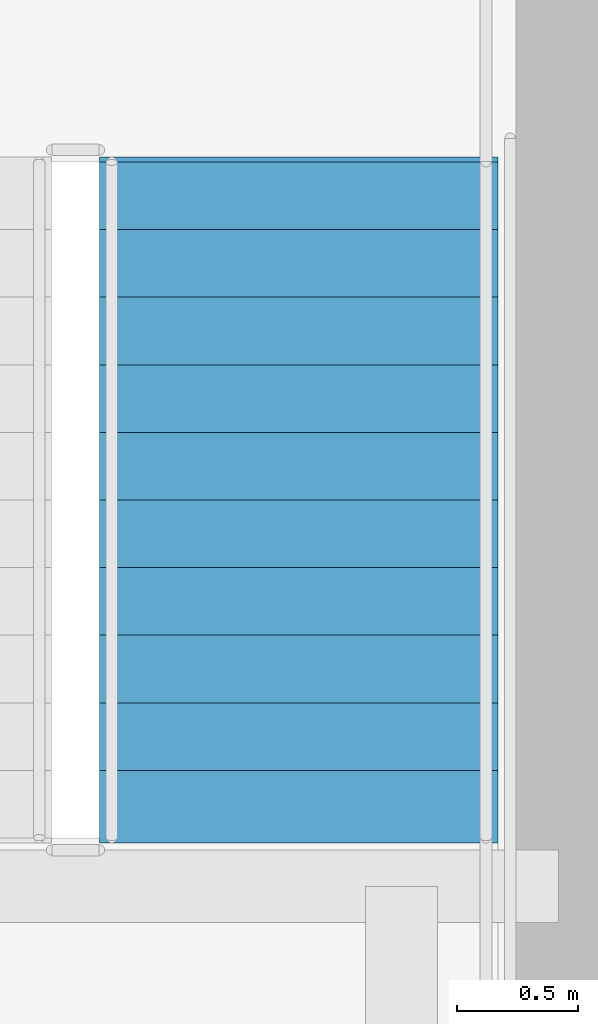
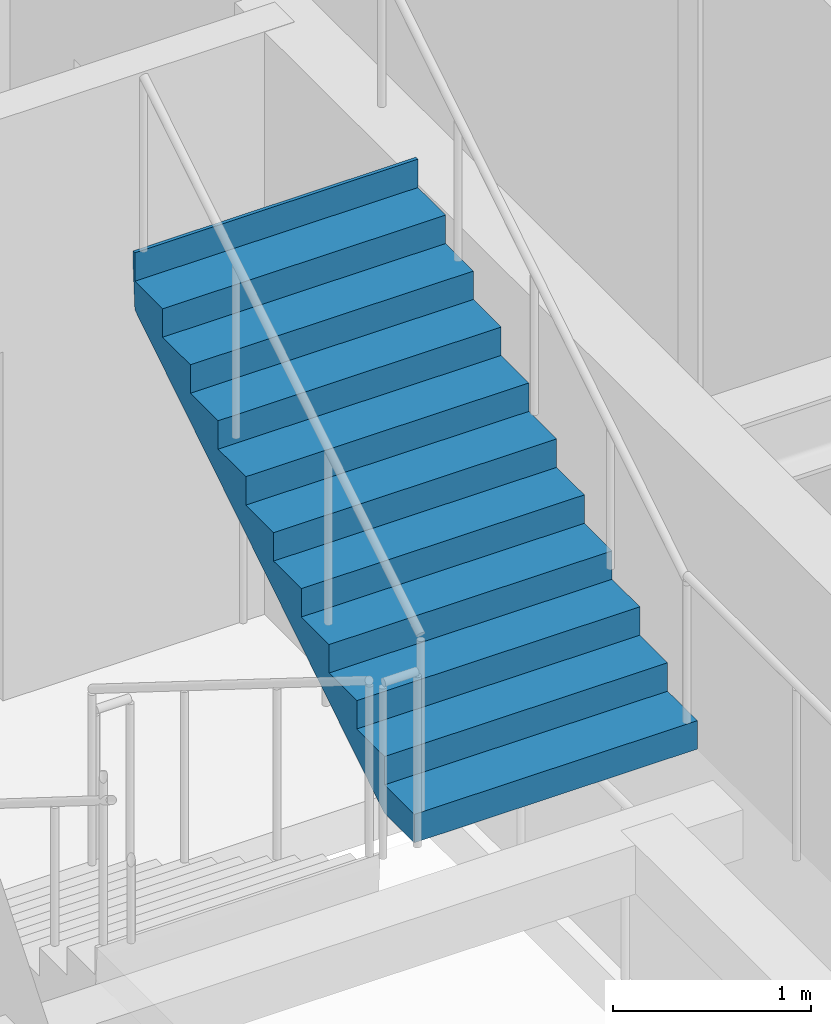
# One storey, part 32 of 38: 1 stair flight, 1 element without a shape of its own.
"""IFC4 building model written with IfcOpenShell, lengths in metres."""

from ifc_helpers import new_model, si_unit, direction, frame, origin, place, context, subcontext, project, spatial, polygons, material, type_object, element, aggregate, save


model = new_model("IFC4")

# Units and contexts
model_context = context("Model", 3, precision=1e-05, world=origin(), true_north=direction((0.0, 1.0)))
body_context = subcontext(model_context, "Body", "Model", "MODEL_VIEW")
ifc_project = project(units=[si_unit("LENGTHUNIT", "METRE"), si_unit("AREAUNIT", "SQUARE_METRE"), si_unit("VOLUMEUNIT", "CUBIC_METRE"), si_unit("PLANEANGLEUNIT", "RADIAN"), si_unit("MASSUNIT", "GRAM", prefix="KILO")], contexts=[model_context])

# Site, building, storey
site_placement = place(None, origin())
site = spatial("IfcSite", under=ifc_project, at=site_placement, CompositionType="ELEMENT")
building_placement = place(site_placement, origin())
building = spatial("IfcBuilding", under=site, at=building_placement, Name="Serunith Strait Residences", CompositionType="ELEMENT")
storey_placement = place(building_placement, frame((0.0, 0.0, 264.35009765625)))
storey = spatial("IfcBuildingStorey", under=building, at=storey_placement, Name="L66", CompositionType="ELEMENT", Elevation=264.35009765625)

# Stair, stair flight
ifc_material = material(Name="Concrete C50/60", Category="concrete")
stair_type = type_object("IfcStairType", Name="STR-CORE-2", PredefinedType="HALF_TURN_STAIR", material=ifc_material)
stair_placement = place(storey_placement, origin())
stair = element("IfcStair", 1, at=stair_placement, inside=storey, type_object=stair_type, Name="L66 Protected Escape Stair ST-2", PredefinedType="HALF_TURN_STAIR")
stair_flight_type = type_object("IfcStairFlightType", Name="FLT-CORE-2", PredefinedType="STRAIGHT", material=ifc_material)
stair_flight_placement = place(storey_placement, frame((40.324951171875, 20.570068359375, 1.9248046875), z_axis=(0.0, 0.0, 1.0), x_axis=(0.0, 1.0, 0.0)))
stair_flight = element("IfcStairFlight", 2, at=stair_flight_placement, type_object=stair_flight_type, Name="ST-2 flight 2", NumberOfRisers=11, NumberOfTreads=10, PredefinedType="STRAIGHT", RiserHeight=0.175, TreadLength=0.28, context=body_context, shape_type="Tessellation", body=[
    polygons([(-0.02001953125, -0.824951171875, 0.0), (-0.02001953125, -0.824951171875, 0.175048828125), (0.280029296875, -0.824951171875, 0.175048828125), (0.280029296875, -0.824951171875, 0.35009765625), (0.56005859375, -0.824951171875, 0.35009765625), (0.56005859375, -0.824951171875, 0.52490234375), (0.840087890625, -0.824951171875, 0.52490234375), (0.840087890625, -0.824951171875, 0.699951171875), (1.1201171875, -0.824951171875, 0.699951171875), (1.1201171875, -0.824951171875, 0.875), (1.39990234375, -0.824951171875, 0.875), (1.39990234375, -0.824951171875, 1.050048828125), (1.679931640625, -0.824951171875, 1.050048828125), (1.679931640625, -0.824951171875, 1.22509765625), (1.9599609375, -0.824951171875, 1.22509765625), (1.9599609375, -0.824951171875, 1.39990234375), (2.239990234375, -0.824951171875, 1.39990234375), (2.239990234375, -0.824951171875, 1.574951171875), (2.52001953125, -0.824951171875, 1.574951171875), (2.52001953125, -0.824951171875, 1.75), (2.800048828125, -0.824951171875, 1.75), (2.800048828125, -0.824951171875, 1.925048828125), (2.820068359375, -0.824951171875, 1.925048828125), (2.820068359375, -0.824951171875, 1.864990234375), (2.800048828125, -0.824951171875, 1.5732421875), (0.28271484375, -0.824951171875, 0.0), (-0.02001953125, -0.41259765625, 0.0), (-0.02001953125, -0.41259765625, 0.175048828125), (0.280029296875, -0.41259765625, 0.175048828125), (0.280029296875, -0.41259765625, 0.35009765625), (0.56005859375, -0.41259765625, 0.35009765625), (0.56005859375, -0.41259765625, 0.52490234375), (0.840087890625, -0.41259765625, 0.52490234375), (0.840087890625, -0.41259765625, 0.699951171875), (1.1201171875, -0.41259765625, 0.699951171875), (1.1201171875, -0.41259765625, 0.875), (1.39990234375, -0.41259765625, 0.875), (1.39990234375, -0.41259765625, 1.050048828125), (1.679931640625, -0.41259765625, 1.050048828125), (1.679931640625, -0.41259765625, 1.22509765625), (1.9599609375, -0.41259765625, 1.22509765625), (1.9599609375, -0.41259765625, 1.39990234375), (2.239990234375, -0.41259765625, 1.39990234375), (2.239990234375, -0.41259765625, 1.574951171875), (2.52001953125, -0.41259765625, 1.574951171875), (2.52001953125, -0.41259765625, 1.75), (2.800048828125, -0.41259765625, 1.75), (2.800048828125, -0.41259765625, 1.925048828125), (2.820068359375, -0.41259765625, 1.925048828125), (2.820068359375, -0.41259765625, 1.864990234375), (2.800048828125, -0.41259765625, 1.5732421875), (0.28271484375, -0.41259765625, 0.0), (-0.02001953125, 0.0, 0.0), (-0.02001953125, 0.0, 0.175048828125), (0.280029296875, 0.0, 0.175048828125), (0.280029296875, 0.0, 0.35009765625), (0.56005859375, 0.0, 0.35009765625), (0.56005859375, 0.0, 0.52490234375), (0.840087890625, 0.0, 0.52490234375), (0.840087890625, 0.0, 0.699951171875), (1.1201171875, 0.0, 0.699951171875), (1.1201171875, 0.0, 0.875), (1.39990234375, 0.0, 0.875), (1.39990234375, 0.0, 1.050048828125), (1.679931640625, 0.0, 1.050048828125), (1.679931640625, 0.0, 1.22509765625), (1.9599609375, 0.0, 1.22509765625), (1.9599609375, 0.0, 1.39990234375), (2.239990234375, 0.0, 1.39990234375), (2.239990234375, 0.0, 1.574951171875), (2.52001953125, 0.0, 1.574951171875), (2.52001953125, 0.0, 1.75), (2.800048828125, 0.0, 1.75), (2.800048828125, 0.0, 1.925048828125), (2.820068359375, 0.0, 1.925048828125), (2.820068359375, 0.0, 1.864990234375), (2.800048828125, 0.0, 1.5732421875), (0.28271484375, 0.0, 0.0), (-0.02001953125, 0.41259765625, 0.0), (-0.02001953125, 0.41259765625, 0.175048828125), (0.280029296875, 0.41259765625, 0.175048828125), (0.280029296875, 0.41259765625, 0.35009765625), (0.56005859375, 0.41259765625, 0.35009765625), (0.56005859375, 0.41259765625, 0.52490234375), (0.840087890625, 0.41259765625, 0.52490234375), (0.840087890625, 0.41259765625, 0.699951171875), (1.1201171875, 0.41259765625, 0.699951171875), (1.1201171875, 0.41259765625, 0.875), (1.39990234375, 0.41259765625, 0.875), (1.39990234375, 0.41259765625, 1.050048828125), (1.679931640625, 0.41259765625, 1.050048828125), (1.679931640625, 0.41259765625, 1.22509765625), (1.9599609375, 0.41259765625, 1.22509765625), (1.9599609375, 0.41259765625, 1.39990234375), (2.239990234375, 0.41259765625, 1.39990234375), (2.239990234375, 0.41259765625, 1.574951171875), (2.52001953125, 0.41259765625, 1.574951171875), (2.52001953125, 0.41259765625, 1.75), (2.800048828125, 0.41259765625, 1.75), (2.800048828125, 0.41259765625, 1.925048828125), (2.820068359375, 0.41259765625, 1.925048828125), (2.820068359375, 0.41259765625, 1.864990234375), (2.800048828125, 0.41259765625, 1.5732421875), (0.28271484375, 0.41259765625, 0.0), (-0.02001953125, 0.824951171875, 0.0), (-0.02001953125, 0.824951171875, 0.175048828125), (0.280029296875, 0.824951171875, 0.175048828125), (0.280029296875, 0.824951171875, 0.35009765625), (0.56005859375, 0.824951171875, 0.35009765625), (0.56005859375, 0.824951171875, 0.52490234375), (0.840087890625, 0.824951171875, 0.52490234375), (0.840087890625, 0.824951171875, 0.699951171875), (1.1201171875, 0.824951171875, 0.699951171875), (1.1201171875, 0.824951171875, 0.875), (1.39990234375, 0.824951171875, 0.875), (1.39990234375, 0.824951171875, 1.050048828125), (1.679931640625, 0.824951171875, 1.050048828125), (1.679931640625, 0.824951171875, 1.22509765625), (1.9599609375, 0.824951171875, 1.22509765625), (1.9599609375, 0.824951171875, 1.39990234375), (2.239990234375, 0.824951171875, 1.39990234375), (2.239990234375, 0.824951171875, 1.574951171875), (2.52001953125, 0.824951171875, 1.574951171875), (2.52001953125, 0.824951171875, 1.75), (2.800048828125, 0.824951171875, 1.75), (2.800048828125, 0.824951171875, 1.925048828125), (2.820068359375, 0.824951171875, 1.925048828125), (2.820068359375, 0.824951171875, 1.864990234375), (2.800048828125, 0.824951171875, 1.5732421875), (0.28271484375, 0.824951171875, 0.0)], [[[1, 2, 28, 27]], [[2, 3, 29, 28]], [[3, 4, 30, 29]], [[4, 5, 31, 30]], [[5, 6, 32, 31]], [[6, 7, 33, 32]], [[7, 8, 34, 33]], [[8, 9, 35, 34]], [[9, 10, 36, 35]], [[10, 11, 37, 36]], [[11, 12, 38, 37]], [[12, 13, 39, 38]], [[13, 14, 40, 39]], [[14, 15, 41, 40]], [[15, 16, 42, 41]], [[16, 17, 43, 42]], [[17, 18, 44, 43]], [[18, 19, 45, 44]], [[19, 20, 46, 45]], [[20, 21, 47, 46]], [[21, 22, 48, 47]], [[22, 23, 49, 48]], [[23, 24, 50, 49]], [[24, 25, 51, 50]], [[25, 26, 52, 51]], [[26, 1, 27, 52]], [[27, 28, 54, 53]], [[28, 29, 55, 54]], [[29, 30, 56, 55]], [[30, 31, 57, 56]], [[31, 32, 58, 57]], [[32, 33, 59, 58]], [[33, 34, 60, 59]], [[34, 35, 61, 60]], [[35, 36, 62, 61]], [[36, 37, 63, 62]], [[37, 38, 64, 63]], [[38, 39, 65, 64]], [[39, 40, 66, 65]], [[40, 41, 67, 66]], [[41, 42, 68, 67]], [[42, 43, 69, 68]], [[43, 44, 70, 69]], [[44, 45, 71, 70]], [[45, 46, 72, 71]], [[46, 47, 73, 72]], [[47, 48, 74, 73]], [[48, 49, 75, 74]], [[49, 50, 76, 75]], [[50, 51, 77, 76]], [[51, 52, 78, 77]], [[52, 27, 53, 78]], [[53, 54, 80, 79]], [[54, 55, 81, 80]], [[55, 56, 82, 81]], [[56, 57, 83, 82]], [[57, 58, 84, 83]], [[58, 59, 85, 84]], [[59, 60, 86, 85]], [[60, 61, 87, 86]], [[61, 62, 88, 87]], [[62, 63, 89, 88]], [[63, 64, 90, 89]], [[64, 65, 91, 90]], [[65, 66, 92, 91]], [[66, 67, 93, 92]], [[67, 68, 94, 93]], [[68, 69, 95, 94]], [[69, 70, 96, 95]], [[70, 71, 97, 96]], [[71, 72, 98, 97]], [[72, 73, 99, 98]], [[73, 74, 100, 99]], [[74, 75, 101, 100]], [[75, 76, 102, 101]], [[76, 77, 103, 102]], [[77, 78, 104, 103]], [[78, 53, 79, 104]], [[79, 80, 106, 105]], [[80, 81, 107, 106]], [[81, 82, 108, 107]], [[82, 83, 109, 108]], [[83, 84, 110, 109]], [[84, 85, 111, 110]], [[85, 86, 112, 111]], [[86, 87, 113, 112]], [[87, 88, 114, 113]], [[88, 89, 115, 114]], [[89, 90, 116, 115]], [[90, 91, 117, 116]], [[91, 92, 118, 117]], [[92, 93, 119, 118]], [[93, 94, 120, 119]], [[94, 95, 121, 120]], [[95, 96, 122, 121]], [[96, 97, 123, 122]], [[97, 98, 124, 123]], [[98, 99, 125, 124]], [[99, 100, 126, 125]], [[100, 101, 127, 126]], [[101, 102, 128, 127]], [[102, 103, 129, 128]], [[103, 104, 130, 129]], [[104, 79, 105, 130]], [[26, 25, 24, 23, 22, 21, 20, 19, 18, 17, 16, 15, 14, 13, 12, 11, 10, 9, 8, 7, 6, 5, 4, 3, 2, 1]], [[105, 106, 107, 108, 109, 110, 111, 112, 113, 114, 115, 116, 117, 118, 119, 120, 121, 122, 123, 124, 125, 126, 127, 128, 129, 130]]], closed=True),
])
aggregate(stair, [stair_flight])

save(model, "model.ifc")
